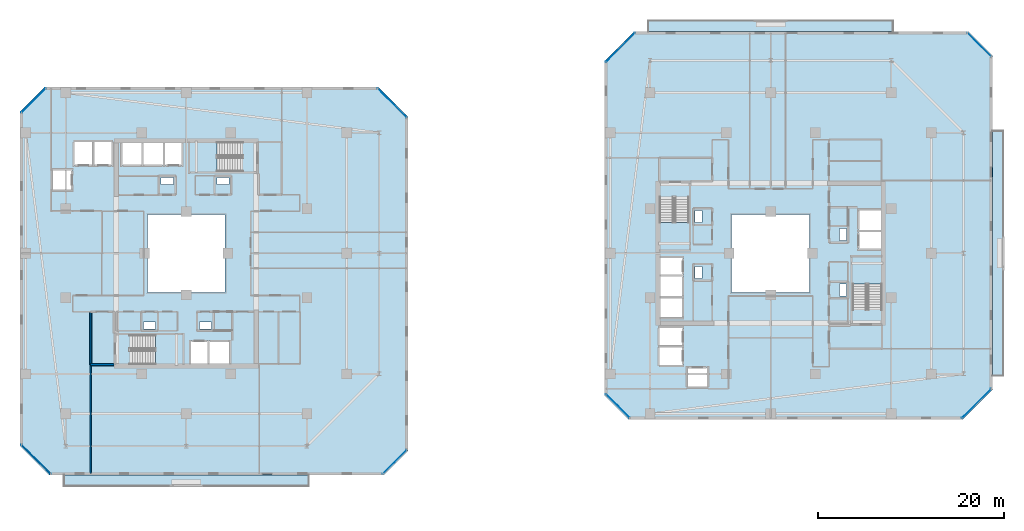
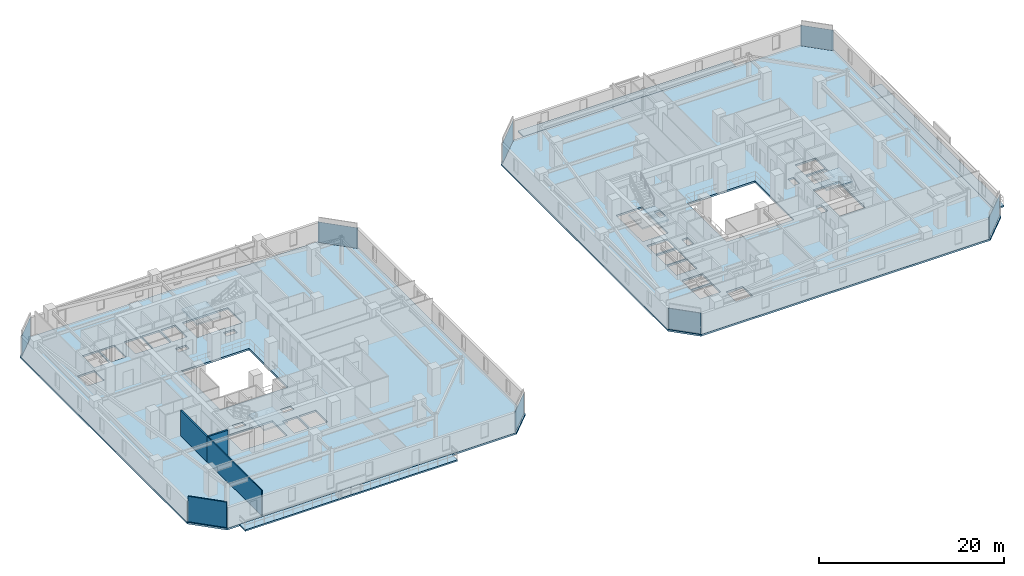
# One storey, part 18 of 33: 9 slabs, 8 plates, 4 walls, 12 elements without a shape of their own.
"""IFC4 building model written with IfcOpenShell, lengths in metres."""

from ifc_helpers import new_model, si_unit, direction, frame, frame_2d, origin, origin_2d, place, context, subcontext, project, spatial, polyline, rectangle, outline, extrude, material, layer, layer_set, type_object, element, aggregate, save


model = new_model("IFC4")

# Units and contexts
model_context = context("Model", 3, precision=1e-05, world=origin(), true_north=direction((0.0, 1.0)))
body_context = subcontext(model_context, "Body", "Model", "MODEL_VIEW")
ifc_project = project(units=[si_unit("LENGTHUNIT", "METRE"), si_unit("AREAUNIT", "SQUARE_METRE"), si_unit("VOLUMEUNIT", "CUBIC_METRE"), si_unit("PLANEANGLEUNIT", "RADIAN"), si_unit("MASSUNIT", "GRAM", prefix="KILO")], contexts=[model_context])

# Site, building, storey
site_placement = place(None, origin())
site = spatial("IfcSite", under=ifc_project, at=site_placement, CompositionType="ELEMENT")
building_placement = place(site_placement, origin())
building = spatial("IfcBuilding", under=site, at=building_placement, Name="Thornwick Lancets Civic Towers", CompositionType="ELEMENT")
storey_placement = place(building_placement, frame((0.0, 0.0, 163.5)))
storey = spatial("IfcBuildingStorey", under=building, at=storey_placement, Name="L43", CompositionType="ELEMENT", Elevation=163.5)

# Curtain wall, plate
ifc_material_1 = material(Name="Mid-zone chamfered-corner unitised glass curtain wall", Category="glass")
curtain_wall_type = type_object("IfcCurtainWallType", Name="CW_SYS_04", PredefinedType="NOTDEFINED", material=ifc_material_1)
curtain_wall_1_placement = place(storey_placement, origin())
curtain_wall_1 = element("IfcCurtainWall", 1, at=curtain_wall_1_placement, inside=storey, type_object=curtain_wall_type, Name="L43 Curtain Wall CW-L43-A-E1", PredefinedType="NOTDEFINED")
ifc_material_2 = material(Name="Low-e double glazing clear glass", Category="glass")
ifc_layer_1 = layer(ifc_material_2, 0.035888671875, Name="Low-e double glazing clear glass")
ifc_layer_set_1 = layer_set([ifc_layer_1], Name="Low-e double glazing clear glass")
plate_type = type_object("IfcPlateType", Name="CW_PNL_GLASS", PredefinedType="CURTAIN_PANEL", material=ifc_layer_set_1)
plate_1_placement = place(storey_placement, frame((47.972900390625, 4.527099609375, 0.0), z_axis=(0.0, 0.0, 1.0), x_axis=(0.707106781187, 0.707106781187, 0.0)))
plate_1 = element("IfcPlate", 2, at=plate_1_placement, type_object=plate_type, Name="CW-L43-A-E1 Panel 0", PredefinedType="CURTAIN_PANEL", context=body_context, shape_type="SweptSolid", body=[
    extrude(rectangle(XDim=3.649169921875, YDim=0.035888671875, at=origin_2d()), origin(), (0.0, 0.0, 1.0), 2.699951171875),
])
aggregate(curtain_wall_1, [plate_1])

curtain_wall_2_placement = place(storey_placement, origin())
curtain_wall_2 = element("IfcCurtainWall", 3, at=curtain_wall_2_placement, inside=storey, type_object=curtain_wall_type, Name="L43 Curtain Wall CW-L43-A-E3", PredefinedType="NOTDEFINED")
plate_2_placement = place(storey_placement, frame((47.6962890625, 43.1962890625, 0.0), z_axis=(0.0, 0.0, 1.0), x_axis=(-0.707106781187, 0.707106781187, 0.0)))
plate_2 = element("IfcPlate", 4, at=plate_2_placement, type_object=plate_type, Name="CW-L43-A-E3 Panel 0", PredefinedType="CURTAIN_PANEL", context=body_context, shape_type="SweptSolid", body=[
    extrude(rectangle(XDim=4.42724609375, YDim=0.035888671875, at=origin_2d()), origin(), (0.0, 0.0, 1.0), 2.699951171875),
])
aggregate(curtain_wall_2, [plate_2])

curtain_wall_3_placement = place(storey_placement, origin())
curtain_wall_3 = element("IfcCurtainWall", 5, at=curtain_wall_3_placement, inside=storey, type_object=curtain_wall_type, Name="L43 Curtain Wall CW-L43-A-E5", PredefinedType="NOTDEFINED")
plate_3_placement = place(storey_placement, frame((9.027099609375, 43.472900390625, 0.0), z_axis=(0.0, 0.0, 1.0), x_axis=(-0.707106781187, -0.707106781187, 0.0)))
plate_3 = element("IfcPlate", 6, at=plate_3_placement, type_object=plate_type, Name="CW-L43-A-E5 Panel 0", PredefinedType="CURTAIN_PANEL", context=body_context, shape_type="SweptSolid", body=[
    extrude(rectangle(XDim=3.649169921875, YDim=0.035888671875, at=origin_2d()), origin(), (0.0, 0.0, 1.0), 2.699951171875),
])
aggregate(curtain_wall_3, [plate_3])

curtain_wall_4_placement = place(storey_placement, origin())
curtain_wall_4 = element("IfcCurtainWall", 7, at=curtain_wall_4_placement, inside=storey, type_object=curtain_wall_type, Name="L43 Curtain Wall CW-L43-A-E7", PredefinedType="NOTDEFINED")
plate_4_placement = place(storey_placement, frame((9.303955078125, 4.8037109375, 0.0), z_axis=(0.0, 0.0, 1.0), x_axis=(0.707106781187, -0.707106781187, 0.0)))
plate_4 = element("IfcPlate", 8, at=plate_4_placement, type_object=plate_type, Name="CW-L43-A-E7 Panel 0", PredefinedType="CURTAIN_PANEL", context=body_context, shape_type="SweptSolid", body=[
    extrude(rectangle(XDim=4.42724609375, YDim=0.035888671875, at=origin_2d()), origin(), (0.0, 0.0, 1.0), 2.699951171875),
])
aggregate(curtain_wall_4, [plate_4])

curtain_wall_5_placement = place(storey_placement, origin())
curtain_wall_5 = element("IfcCurtainWall", 9, at=curtain_wall_5_placement, inside=storey, type_object=curtain_wall_type, Name="L43 Curtain Wall CW-L43-B-E1", PredefinedType="NOTDEFINED")
plate_5_placement = place(storey_placement, frame((110.696044921875, 10.803955078125, 0.0), z_axis=(0.0, 0.0, 1.0), x_axis=(0.707106781187, 0.707106781187, 0.0)))
plate_5 = element("IfcPlate", 10, at=plate_5_placement, type_object=plate_type, Name="CW-L43-B-E1 Panel 0", PredefinedType="CURTAIN_PANEL", context=body_context, shape_type="SweptSolid", body=[
    extrude(rectangle(XDim=4.42724609375, YDim=0.035888671875, at=origin_2d()), origin(), (0.0, 0.0, 1.0), 2.699951171875),
])
aggregate(curtain_wall_5, [plate_5])

curtain_wall_6_placement = place(storey_placement, origin())
curtain_wall_6 = element("IfcCurtainWall", 11, at=curtain_wall_6_placement, inside=storey, type_object=curtain_wall_type, Name="L43 Curtain Wall CW-L43-B-E3", PredefinedType="NOTDEFINED")
plate_6_placement = place(storey_placement, frame((110.972900390625, 49.472900390625, 0.0), z_axis=(0.0, 0.0, 1.0), x_axis=(-0.707106781187, 0.707106781187, 0.0)))
plate_6 = element("IfcPlate", 12, at=plate_6_placement, type_object=plate_type, Name="CW-L43-B-E3 Panel 0", PredefinedType="CURTAIN_PANEL", context=body_context, shape_type="SweptSolid", body=[
    extrude(rectangle(XDim=3.649169921875, YDim=0.035888671875, at=origin_2d()), origin(), (0.0, 0.0, 1.0), 2.699951171875),
])
aggregate(curtain_wall_6, [plate_6])

curtain_wall_7_placement = place(storey_placement, origin())
curtain_wall_7 = element("IfcCurtainWall", 13, at=curtain_wall_7_placement, inside=storey, type_object=curtain_wall_type, Name="L43 Curtain Wall CW-L43-B-E5", PredefinedType="NOTDEFINED")
plate_7_placement = place(storey_placement, frame((72.303955078125, 49.1962890625, 0.0), z_axis=(0.0, 0.0, 1.0), x_axis=(-0.707106781187, -0.707106781187, 0.0)))
plate_7 = element("IfcPlate", 14, at=plate_7_placement, type_object=plate_type, Name="CW-L43-B-E5 Panel 0", PredefinedType="CURTAIN_PANEL", context=body_context, shape_type="SweptSolid", body=[
    extrude(rectangle(XDim=4.42724609375, YDim=0.035888671875, at=origin_2d()), origin(), (0.0, 0.0, 1.0), 2.699951171875),
])
aggregate(curtain_wall_7, [plate_7])

curtain_wall_8_placement = place(storey_placement, origin())
curtain_wall_8 = element("IfcCurtainWall", 15, at=curtain_wall_8_placement, inside=storey, type_object=curtain_wall_type, Name="L43 Curtain Wall CW-L43-B-E7", PredefinedType="NOTDEFINED")
plate_8_placement = place(storey_placement, frame((72.027099609375, 10.527099609375, 0.0), z_axis=(0.0, 0.0, 1.0), x_axis=(0.707106781187, -0.707106781187, 0.0)))
plate_8 = element("IfcPlate", 16, at=plate_8_placement, type_object=plate_type, Name="CW-L43-B-E7 Panel 0", PredefinedType="CURTAIN_PANEL", context=body_context, shape_type="SweptSolid", body=[
    extrude(rectangle(XDim=3.649169921875, YDim=0.035888671875, at=origin_2d()), origin(), (0.0, 0.0, 1.0), 2.699951171875),
])
aggregate(curtain_wall_8, [plate_8])

# Slabs
ifc_material_3 = material(Name="Post-tensioned concrete C40/50", Category="concrete")
ifc_layer_2 = layer(ifc_material_3, 0.199951171875, Name="Post-tensioned concrete C40/50")
ifc_layer_set_2 = layer_set([ifc_layer_2], Name="Post-tensioned concrete C40/50")
slab_type_1 = type_object("IfcSlabType", Name="SLAB_BALCONY_200", PredefinedType="FLOOR", material=ifc_layer_set_2)
slab_1_placement = place(storey_placement, frame((0.0, 0.0, -0.199951171875)))
element("IfcSlab", 17, at=slab_1_placement, inside=storey, type_object=slab_type_1, Name="L43 Tower A Planted Balcony Slab S", PredefinedType="FLOOR", context=body_context, shape_type="SweptSolid", body=[
    extrude(outline(polyline([(12.300048828125, 1.85009765625), (38.699951171875, 1.85009765625), (38.699951171875, 3.10009765625), (12.300048828125, 3.10009765625), (12.300048828125, 1.85009765625)])), origin(), (0.0, 0.0, 1.0), 0.199951171875),
])
slab_2_placement = place(storey_placement, frame((0.0, 0.0, -0.199951171875)))
element("IfcSlab", 18, at=slab_2_placement, inside=storey, type_object=slab_type_1, Name="L43 Tower B Planted Balcony Slab E", PredefinedType="FLOOR", context=body_context, shape_type="SweptSolid", body=[
    extrude(outline(polyline([(112.39990234375, 13.800048828125), (113.64990234375, 13.800048828125), (113.64990234375, 40.199951171875), (112.39990234375, 40.199951171875), (112.39990234375, 13.800048828125)])), origin(), (0.0, 0.0, 1.0), 0.199951171875),
])
slab_3_placement = place(storey_placement, frame((0.0, 0.0, -0.199951171875)))
element("IfcSlab", 19, at=slab_3_placement, inside=storey, type_object=slab_type_1, Name="L43 Tower B Planted Balcony Slab N", PredefinedType="FLOOR", context=body_context, shape_type="SweptSolid", body=[
    extrude(outline(polyline([(75.300048828125, 50.89990234375), (101.699951171875, 50.89990234375), (101.699951171875, 52.14990234375), (75.300048828125, 52.14990234375), (75.300048828125, 50.89990234375)])), origin(), (0.0, 0.0, 1.0), 0.199951171875),
])

# Stair, slab
ifc_material_4 = material(Name="Concrete C40/50", Category="concrete")
stair_type = type_object("IfcStairType", Name="STAIR_DL_3600", PredefinedType="HALF_TURN_STAIR", material=ifc_material_4)
stair_1_placement = place(storey_placement, origin())
stair_1 = element("IfcStair", 20, at=stair_1_placement, inside=storey, type_object=stair_type, Name="L43 Tower A South Exit Stair ST-A1", PredefinedType="HALF_TURN_STAIR")
ifc_layer_3 = layer(ifc_material_4, 0.25, Name="Concrete C40/50")
ifc_layer_set_3 = layer_set([ifc_layer_3], Name="Concrete C40/50")
slab_type_2 = type_object("IfcSlabType", Name="SLAB_LANDING_200", PredefinedType="LANDING", material=ifc_layer_set_3)
slab_4_placement = place(storey_placement, frame((0.0, 0.0, 1.60302734375)))
slab_4 = element("IfcSlab", 21, at=slab_4_placement, type_object=slab_type_2, Name="ST-A1 landing 1", PredefinedType="LANDING", context=body_context, shape_type="SweptSolid", body=[
    extrude(outline(polyline([(22.169921875, 14.93994140625), (25.14990234375, 14.93994140625), (25.14990234375, 18.260009765625), (22.169921875, 18.260009765625), (22.169921875, 14.93994140625)])), origin(), (0.0, 0.0, 1.0), 0.199951171875),
])
aggregate(stair_1, [slab_4])

stair_2_placement = place(storey_placement, origin())
stair_2 = element("IfcStair", 22, at=stair_2_placement, inside=storey, type_object=stair_type, Name="L43 Tower A North Exit Stair ST-A2", PredefinedType="HALF_TURN_STAIR")
slab_5_placement = place(storey_placement, frame((0.0, 0.0, 1.60302734375)))
slab_5 = element("IfcSlab", 23, at=slab_5_placement, type_object=slab_type_2, Name="ST-A2 landing 1", PredefinedType="LANDING", context=body_context, shape_type="SweptSolid", body=[
    extrude(outline(polyline([(28.830078125, 39.06005859375), (25.85009765625, 39.06005859375), (25.85009765625, 35.739990234375), (28.830078125, 35.739990234375), (28.830078125, 39.06005859375)])), origin(), (0.0, 0.0, 1.0), 0.199951171875),
])
aggregate(stair_2, [slab_5])

stair_3_placement = place(storey_placement, origin())
stair_3 = element("IfcStair", 24, at=stair_3_placement, inside=storey, type_object=stair_type, Name="L43 Tower B East Exit Stair ST-B1", PredefinedType="HALF_TURN_STAIR")
slab_6_placement = place(storey_placement, frame((0.0, 0.0, 1.60302734375)))
slab_6 = element("IfcSlab", 25, at=slab_6_placement, type_object=slab_type_2, Name="ST-B1 landing 1", PredefinedType="LANDING", context=body_context, shape_type="SweptSolid", body=[
    extrude(outline(polyline([(100.56005859375, 23.669921875), (100.56005859375, 26.64990234375), (97.239990234375, 26.64990234375), (97.239990234375, 23.669921875), (100.56005859375, 23.669921875)])), origin(), (0.0, 0.0, 1.0), 0.199951171875),
])
aggregate(stair_3, [slab_6])

stair_4_placement = place(storey_placement, origin())
stair_4 = element("IfcStair", 26, at=stair_4_placement, inside=storey, type_object=stair_type, Name="L43 Tower B West Exit Stair ST-B2", PredefinedType="HALF_TURN_STAIR")
slab_7_placement = place(storey_placement, frame((0.0, 0.0, 1.60302734375)))
slab_7 = element("IfcSlab", 27, at=slab_7_placement, type_object=slab_type_2, Name="ST-B2 landing 1", PredefinedType="LANDING", context=body_context, shape_type="SweptSolid", body=[
    extrude(outline(polyline([(76.43994140625, 30.330078125), (76.43994140625, 27.35009765625), (79.760009765625, 27.35009765625), (79.760009765625, 30.330078125), (76.43994140625, 30.330078125)])), origin(), (0.0, 0.0, 1.0), 0.199951171875),
])
aggregate(stair_4, [slab_7])

# Slabs
ifc_layer_4 = layer(ifc_material_3, 0.239990234375, Name="Post-tensioned concrete C40/50")
ifc_layer_set_4 = layer_set([ifc_layer_4], Name="Post-tensioned concrete C40/50")
slab_type_3 = type_object("IfcSlabType", Name="SLAB_PT_240", PredefinedType="FLOOR", material=ifc_layer_set_4)
slab_8_placement = place(storey_placement, frame((0.0, 0.0, -0.239990234375)))
element("IfcSlab", 28, at=slab_8_placement, inside=storey, type_object=slab_type_3, Name="L43 Tower A Floor Slab", PredefinedType="FLOOR", context=body_context, shape_type="SweptSolid", body=[
    extrude(outline(polyline([(10.75390625, 3.10009765625), (46.800048828125, 3.10009765625), (49.39990234375, 5.699951171875), (49.39990234375, 41.74609375), (46.24609375, 44.89990234375), (10.199951171875, 44.89990234375), (7.60009765625, 42.300048828125), (7.60009765625, 6.25390625), (10.75390625, 3.10009765625)]), holes=[polyline([(21.300048828125, 22.800048828125), (29.699951171875, 22.800048828125), (29.699951171875, 31.199951171875), (21.300048828125, 31.199951171875), (21.300048828125, 22.800048828125)]), polyline([(19.429931640625, 15.0), (25.10009765625, 15.0), (25.10009765625, 18.199951171875), (19.429931640625, 18.199951171875), (19.429931640625, 15.0)]), polyline([(31.570068359375, 39.0), (25.89990234375, 39.0), (25.89990234375, 35.800048828125), (31.570068359375, 35.800048828125), (31.570068359375, 39.0)]), polyline([(26.0, 15.0), (27.800048828125, 15.0), (27.800048828125, 17.550048828125), (26.0, 17.550048828125), (26.0, 15.0)]), polyline([(28.0, 15.0), (30.14990234375, 15.0), (30.14990234375, 17.550048828125), (28.0, 17.550048828125), (28.0, 15.0)]), polyline([(23.199951171875, 36.449951171875), (25.0, 36.449951171875), (25.0, 39.0), (23.199951171875, 39.0), (23.199951171875, 36.449951171875)]), polyline([(20.85009765625, 36.449951171875), (23.0, 36.449951171875), (23.0, 39.0), (20.85009765625, 39.0), (20.85009765625, 36.449951171875)]), polyline([(18.60009765625, 36.449951171875), (20.699951171875, 36.449951171875), (20.699951171875, 39.0), (18.60009765625, 39.0), (18.60009765625, 36.449951171875)]), polyline([(15.550048828125, 36.449951171875), (17.449951171875, 36.449951171875), (17.449951171875, 39.0), (15.550048828125, 39.0), (15.550048828125, 36.449951171875)]), polyline([(13.449951171875, 36.449951171875), (15.39990234375, 36.449951171875), (15.39990234375, 39.0), (13.449951171875, 39.0), (13.449951171875, 36.449951171875)]), polyline([(11.10009765625, 33.85009765625), (13.199951171875, 33.85009765625), (13.199951171875, 35.949951171875), (11.10009765625, 35.949951171875), (11.10009765625, 33.85009765625)]), polyline([(26.89990234375, 18.85009765625), (28.199951171875, 18.85009765625), (28.199951171875, 19.580078125), (26.89990234375, 19.580078125), (26.89990234375, 18.85009765625)]), polyline([(20.89990234375, 18.85009765625), (22.199951171875, 18.85009765625), (22.199951171875, 19.580078125), (20.89990234375, 19.580078125), (20.89990234375, 18.85009765625)]), polyline([(22.800048828125, 34.419921875), (24.10009765625, 34.419921875), (24.10009765625, 35.14990234375), (22.800048828125, 35.14990234375), (22.800048828125, 34.419921875)]), polyline([(28.800048828125, 34.419921875), (30.10009765625, 34.419921875), (30.10009765625, 35.14990234375), (28.800048828125, 35.14990234375), (28.800048828125, 34.419921875)])]), origin(), (0.0, 0.0, 1.0), 0.239990234375),
])
slab_9_placement = place(storey_placement, frame((0.0, 0.0, -0.239990234375)))
element("IfcSlab", 29, at=slab_9_placement, inside=storey, type_object=slab_type_3, Name="L43 Tower B Floor Slab", PredefinedType="FLOOR", context=body_context, shape_type="SweptSolid", body=[
    extrude(outline(polyline([(73.199951171875, 9.10009765625), (109.24609375, 9.10009765625), (112.39990234375, 12.25390625), (112.39990234375, 48.300048828125), (109.800048828125, 50.89990234375), (73.75390625, 50.89990234375), (70.60009765625, 47.74609375), (70.60009765625, 11.699951171875), (73.199951171875, 9.10009765625)]), holes=[polyline([(84.300048828125, 22.800048828125), (92.699951171875, 22.800048828125), (92.699951171875, 31.199951171875), (84.300048828125, 31.199951171875), (84.300048828125, 22.800048828125)]), polyline([(100.5, 20.929931640625), (100.5, 26.60009765625), (97.300048828125, 26.60009765625), (97.300048828125, 20.929931640625), (100.5, 20.929931640625)]), polyline([(76.5, 33.070068359375), (76.5, 27.39990234375), (79.699951171875, 27.39990234375), (79.699951171875, 33.070068359375), (76.5, 33.070068359375)]), polyline([(97.949951171875, 27.5), (100.5, 27.5), (100.5, 29.300048828125), (97.949951171875, 29.300048828125), (97.949951171875, 27.5)]), polyline([(97.949951171875, 29.5), (100.5, 29.5), (100.5, 31.64990234375), (97.949951171875, 31.64990234375), (97.949951171875, 29.5)]), polyline([(76.5, 24.699951171875), (79.050048828125, 24.699951171875), (79.050048828125, 26.5), (76.5, 26.5), (76.5, 24.699951171875)]), polyline([(76.5, 22.35009765625), (79.050048828125, 22.35009765625), (79.050048828125, 24.5), (76.5, 24.5), (76.5, 22.35009765625)]), polyline([(76.5, 20.10009765625), (79.050048828125, 20.10009765625), (79.050048828125, 22.199951171875), (76.5, 22.199951171875), (76.5, 20.10009765625)]), polyline([(76.5, 17.050048828125), (79.050048828125, 17.050048828125), (79.050048828125, 18.949951171875), (76.5, 18.949951171875), (76.5, 17.050048828125)]), polyline([(76.5, 14.949951171875), (79.050048828125, 14.949951171875), (79.050048828125, 16.89990234375), (76.5, 16.89990234375), (76.5, 14.949951171875)]), polyline([(79.550048828125, 12.60009765625), (81.64990234375, 12.60009765625), (81.64990234375, 14.699951171875), (79.550048828125, 14.699951171875), (79.550048828125, 12.60009765625)]), polyline([(95.919921875, 28.39990234375), (96.64990234375, 28.39990234375), (96.64990234375, 29.699951171875), (95.919921875, 29.699951171875), (95.919921875, 28.39990234375)]), polyline([(95.919921875, 22.39990234375), (96.64990234375, 22.39990234375), (96.64990234375, 23.699951171875), (95.919921875, 23.699951171875), (95.919921875, 22.39990234375)]), polyline([(80.35009765625, 24.300048828125), (81.080078125, 24.300048828125), (81.080078125, 25.60009765625), (80.35009765625, 25.60009765625), (80.35009765625, 24.300048828125)]), polyline([(80.35009765625, 30.300048828125), (81.080078125, 30.300048828125), (81.080078125, 31.60009765625), (80.35009765625, 31.60009765625), (80.35009765625, 30.300048828125)])]), origin(), (0.0, 0.0, 1.0), 0.239990234375),
])

# Walls
ifc_material_5 = material(Name="Concrete blockwork C40/50", Category="masonry")
ifc_layer_5 = layer(ifc_material_5, 0.199951171875, Name="Concrete blockwork C40/50")
ifc_layer_set_5 = layer_set([ifc_layer_5], Name="Concrete blockwork C40/50")
wall_type_1 = type_object("IfcWallType", Name="WALL_COMP_200", PredefinedType="STANDARD", material=ifc_layer_set_5)
wall_1_placement = place(storey_placement, frame((15.199951171875, 15.0, 0.0), z_axis=(0.0, 0.0, 1.0), x_axis=(1.0, 0.0, 0.0)))
element("IfcWall", 30, at=wall_1_placement, inside=storey, type_object=wall_type_1, Name="L43 Partition L43-A-FFLOB1 E1", PredefinedType="STANDARD", context=body_context, shape_type="SweptSolid", body=[
    extrude(rectangle(XDim=2.5, YDim=0.199951171875, at=frame_2d((1.25, 0.0))), origin(), (0.0, 0.0, 1.0), 3.340087890625),
])
wall_2_placement = place(storey_placement, frame((15.199951171875, 20.699951171875, 0.0), z_axis=(0.0, 0.0, 1.0), x_axis=(0.0, -1.0, 0.0)))
element("IfcWall", 31, at=wall_2_placement, inside=storey, type_object=wall_type_1, Name="L43 Partition L43-A-FFLOB1 E4", PredefinedType="STANDARD", context=body_context, shape_type="SweptSolid", body=[
    extrude(rectangle(XDim=5.699951171875, YDim=0.199951171875, at=frame_2d((2.85009765625, 0.0))), origin(), (0.0, 0.0, 1.0), 3.340087890625),
])
ifc_material_6 = material(Name="Acoustic gypsum board partition")
ifc_layer_6 = layer(ifc_material_6, 0.1201171875, Name="Acoustic gypsum board partition")
ifc_layer_set_6 = layer_set([ifc_layer_6], Name="Acoustic gypsum board partition")
wall_type_2 = type_object("IfcWallType", Name="WALL_PART_120", PredefinedType="PARTITIONING", material=ifc_layer_set_6)
wall_3_placement = place(storey_placement, frame((15.199951171875, 15.0, 0.0), z_axis=(0.0, 0.0, 1.0), x_axis=(0.0, -1.0, 0.0)))
element("IfcWall", 32, at=wall_3_placement, inside=storey, type_object=wall_type_2, Name="L43 Partition L43-A-W1 E7", PredefinedType="PARTITIONING", context=body_context, shape_type="SweptSolid", body=[
    extrude(rectangle(XDim=11.719970703125, YDim=0.1201171875, at=frame_2d((5.85986328125, 0.0))), origin(), (0.0, 0.0, 1.0), 3.340087890625),
])
wall_4_placement = place(storey_placement, frame((10.82861328125, 3.280029296875, 0.0), z_axis=(0.0, 0.0, 1.0), x_axis=(-0.707106781187, 0.707106781187, 0.0)))
element("IfcWall", 33, at=wall_4_placement, inside=storey, type_object=wall_type_2, Name="L43 Partition L43-A-W1 E9", PredefinedType="PARTITIONING", context=body_context, shape_type="SweptSolid", body=[
    extrude(rectangle(XDim=4.311279296875, YDim=0.1201171875, at=frame_2d((2.15576171875, 0.0))), origin(), (0.0, 0.0, 1.0), 3.340087890625),
])

save(model, "model.ifc")
